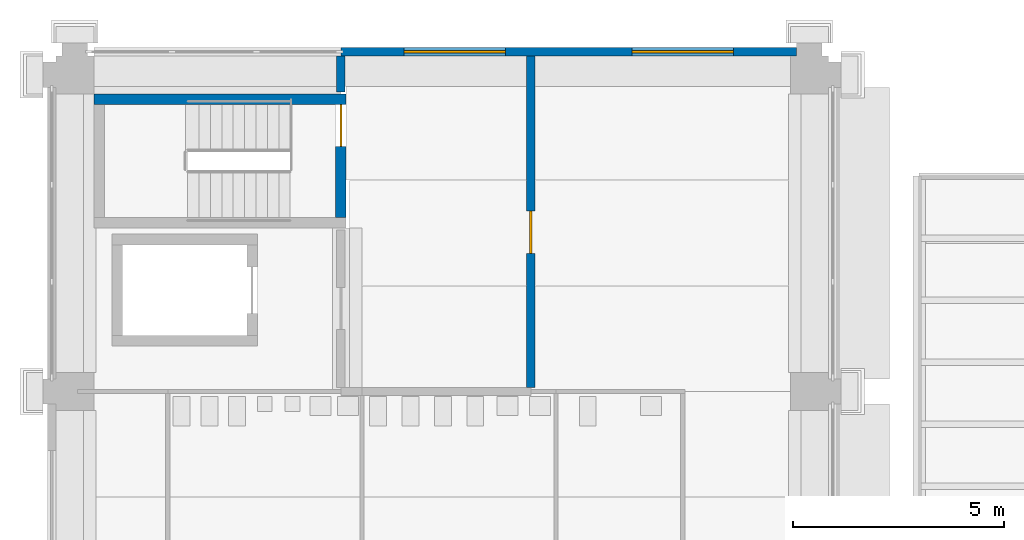
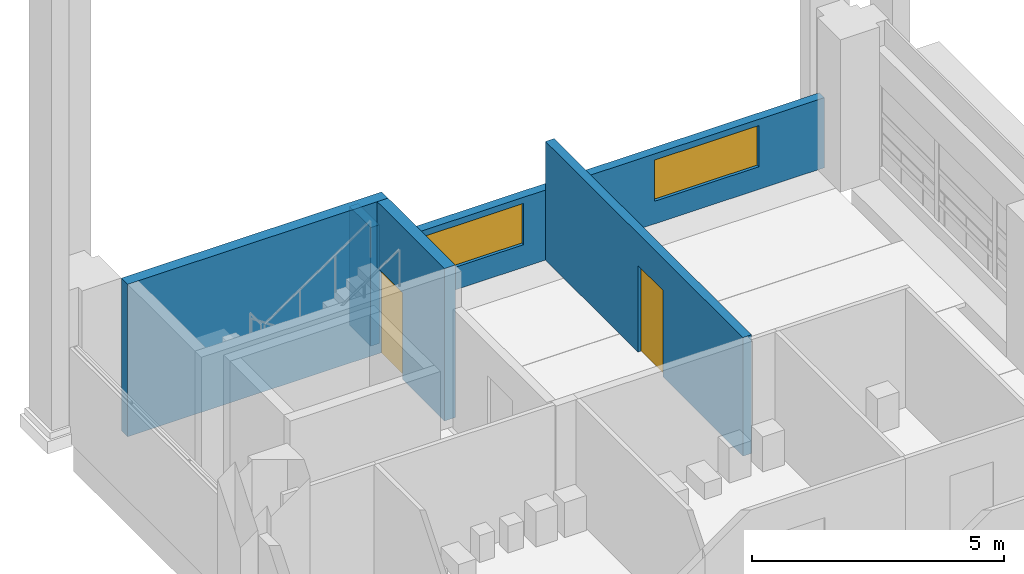
# One storey, part 38 of 67: 5 walls, 2 doors, 2 windows, 4 openings.
"""IFC4 building model written with IfcOpenShell, lengths in metres."""

from ifc_helpers import new_model, si_unit, direction, frame, frame_2d, origin, place, context, subcontext, project, spatial, rectangle, extrude, material, layer, layer_set, type_object, element, fill, save


model = new_model("IFC4")

# Units and contexts
model_context = context("Model", 3, precision=1e-05, world=origin(), true_north=direction((0.0, 1.0)))
body_context = subcontext(model_context, "Body", "Model", "MODEL_VIEW")
ifc_project = project(units=[si_unit("LENGTHUNIT", "METRE"), si_unit("AREAUNIT", "SQUARE_METRE"), si_unit("VOLUMEUNIT", "CUBIC_METRE"), si_unit("PLANEANGLEUNIT", "RADIAN"), si_unit("MASSUNIT", "GRAM", prefix="KILO")], contexts=[model_context])

# Site, building, storey
site_placement = place(None, origin())
site = spatial("IfcSite", under=ifc_project, at=site_placement, CompositionType="ELEMENT")
building_placement = place(site_placement, origin())
building = spatial("IfcBuilding", under=site, at=building_placement, Name="Cour d'Honneur Mobility Palace", CompositionType="ELEMENT")
storey_placement = place(building_placement, frame((0.0, 0.0, 4.5)))
storey = spatial("IfcBuildingStorey", under=building, at=storey_placement, Name="L01", CompositionType="ELEMENT", Elevation=4.5)

# Wall, opening, door
ifc_material_1 = material(Name="Gypsum plasterboard")
ifc_layer_1 = layer(ifc_material_1, 0.199951171875)
ifc_layer_set_1 = layer_set([ifc_layer_1], Name="Gypsum plasterboard")
wall_type_1 = type_object("IfcWallType", Name="Partition 200 rated EI 120", PredefinedType="PARTITIONING", material=ifc_layer_set_1)
wall_1_placement = place(storey_placement, frame((10.800048828125, 107.5, 0.0), z_axis=(0.0, 0.0, 1.0), x_axis=(0.0, 1.0, 0.0)))
wall_1 = element("IfcWall", 1, at=wall_1_placement, inside=storey, type_object=wall_type_1, Name="Partition 071", PredefinedType="PARTITIONING", context=body_context, shape_type="SweptSolid", body=[
    extrude(rectangle(XDim=7.85009765625, YDim=0.199951171875, at=frame_2d((3.925048828125, 0.0))), origin(), (0.0, 0.0, 1.0), 2.8798828125),
])
opening_1_placement = place(wall_1_placement, frame((3.169921875, 0.0, 0.0)))
opening_1 = element("IfcOpeningElement", 2, at=opening_1_placement, cuts=wall_1, Name="Opening D0102", PredefinedType="OPENING", context=body_context, shape_type="SweptSolid", body=[
    extrude(rectangle(XDim=1.0, YDim=2.10009765625, at=frame_2d((0.5, 1.050048828125))), frame((0.0, 0.10986328125, 0.0), z_axis=(0.0, -1.0, 0.0), x_axis=(1.0, 0.0, 0.0)), (0.0, 0.0, 1.0), 0.219970703125),
])
ifc_material_2 = material(Name="Galvanised steel", Category="steel")
door_type_1 = type_object("IfcDoorType", Name="Fire door FD120 1000 x 2100", OperationType="SINGLE_SWING_LEFT", PredefinedType="DOOR", material=ifc_material_2)
door_1_placement = place(opening_1_placement, origin())
door_1 = element("IfcDoor", 3, at=door_1_placement, inside=storey, type_object=door_type_1, Name="Door Lift Lobby NW", OperationType="SINGLE_SWING_LEFT", OverallHeight=2.10009765625, OverallWidth=1.0, PredefinedType="DOOR", context=body_context, shape_type="SweptSolid", body=[
    extrude(rectangle(XDim=1.0, YDim=2.10009765625, at=frame_2d((0.5, 1.050048828125))), frame((0.0, 0.02490234375, 0.0), z_axis=(0.0, -1.0, 0.0), x_axis=(1.0, 0.0, 0.0)), (0.0, 0.0, 1.0), 0.050048828125),
])
fill(opening_1, door_1)

# Wall
wall_2_placement = place(storey_placement, frame((6.300048828125, 115.35009765625, 0.0), z_axis=(0.0, 0.0, 1.0), x_axis=(0.0, -1.0, 0.0)))
element("IfcWall", 4, at=wall_2_placement, inside=storey, type_object=wall_type_1, Name="Partition 087", PredefinedType="PARTITIONING", context=body_context, shape_type="SweptSolid", body=[
    extrude(rectangle(XDim=0.85009765625, YDim=0.199951171875, at=frame_2d((0.425048828125, 0.0))), origin(), (0.0, 0.0, 1.0), 2.8798828125),
])

# Wall, openings, windows
ifc_material_3 = material(Name="Concrete C40", Category="concrete")
ifc_layer_2 = layer(ifc_material_3, 0.199951171875)
ifc_layer_set_2 = layer_set([ifc_layer_2], Name="Concrete C40")
wall_type_2 = type_object("IfcWallType", Name="Spandrel panel", PredefinedType="SOLIDWALL", material=ifc_layer_set_2)
wall_3_placement = place(storey_placement, frame((17.10009765625, 115.449951171875, 0.0), z_axis=(0.0, 0.0, 1.0), x_axis=(-1.0, 0.0, 0.0)))
wall_3 = element("IfcWall", 5, at=wall_3_placement, inside=storey, type_object=wall_type_2, Name="Spandrel panel SW-1", PredefinedType="SOLIDWALL", context=body_context, shape_type="SweptSolid", body=[
    extrude(rectangle(XDim=10.800048828125, YDim=0.199951171875, at=frame_2d((5.39990234375, 0.0))), origin(), (0.0, 0.0, 1.0), 1.699951171875),
])
opening_2_placement = place(wall_3_placement, frame((1.5, 0.0, 0.550048828125)))
opening_2 = element("IfcOpeningElement", 6, at=opening_2_placement, cuts=wall_3, Name="Opening W2-1", PredefinedType="OPENING", context=body_context, shape_type="SweptSolid", body=[
    extrude(rectangle(XDim=2.39990234375, YDim=1.0, at=frame_2d((1.199951171875, 0.5))), frame((0.0, 0.10986328125, 0.0), z_axis=(0.0, -1.0, 0.0), x_axis=(1.0, 0.0, 0.0)), (0.0, 0.0, 1.0), 0.219970703125),
])
opening_3_placement = place(wall_3_placement, frame((6.89990234375, 0.0, 0.550048828125)))
opening_3 = element("IfcOpeningElement", 7, at=opening_3_placement, cuts=wall_3, Name="Opening W2-2", PredefinedType="OPENING", context=body_context, shape_type="SweptSolid", body=[
    extrude(rectangle(XDim=2.39990234375, YDim=1.0, at=frame_2d((1.199951171875, 0.5))), frame((0.0, 0.10986328125, 0.0), z_axis=(0.0, -1.0, 0.0), x_axis=(1.0, 0.0, 0.0)), (0.0, 0.0, 1.0), 0.219970703125),
])
ifc_material_4 = material(Name="Aluminium frame and glass", Category="aluminium")
window_type = type_object("IfcWindowType", Name="Gallery window W2", PartitioningType="TRIPLE_PANEL_VERTICAL", PredefinedType="WINDOW", material=ifc_material_4)
window_1_placement = place(opening_2_placement, origin())
window_1 = element("IfcWindow", 8, at=window_1_placement, inside=storey, type_object=window_type, Name="Gallery window W2 W2-1", OverallHeight=1.0, OverallWidth=2.39990234375, PartitioningType="SINGLE_PANEL", PredefinedType="WINDOW", context=body_context, shape_type="SweptSolid", body=[
    extrude(rectangle(XDim=2.39990234375, YDim=1.0, at=frame_2d((1.199951171875, 0.5))), frame((0.0, 0.030029296875, 0.0), z_axis=(0.0, -1.0, 0.0), x_axis=(1.0, 0.0, 0.0)), (0.0, 0.0, 1.0), 0.06005859375),
])
fill(opening_2, window_1)
window_2_placement = place(opening_3_placement, origin())
window_2 = element("IfcWindow", 9, at=window_2_placement, inside=storey, type_object=window_type, Name="Gallery window W2 W2-2", OverallHeight=1.0, OverallWidth=2.39990234375, PartitioningType="SINGLE_PANEL", PredefinedType="WINDOW", context=body_context, shape_type="SweptSolid", body=[
    extrude(rectangle(XDim=2.39990234375, YDim=1.0, at=frame_2d((1.199951171875, 0.5))), frame((0.0, 0.030029296875, 0.0), z_axis=(0.0, -1.0, 0.0), x_axis=(1.0, 0.0, 0.0)), (0.0, 0.0, 1.0), 0.06005859375),
])
fill(opening_3, window_2)

# Wall
ifc_material_5 = material(Name="Concrete C50", Category="concrete")
ifc_layer_3 = layer(ifc_material_5, 0.25)
ifc_layer_set_3 = layer_set([ifc_layer_3], Name="Concrete C50")
wall_type_3 = type_object("IfcWallType", Name="Stair wall 250", PredefinedType="SHEAR", material=ifc_layer_set_3)
wall_4_placement = place(storey_placement, frame((0.449951171875, 114.324951171875, 0.0), z_axis=(0.0, 0.0, 1.0), x_axis=(1.0, 0.0, 0.0)))
element("IfcWall", 10, at=wall_4_placement, inside=storey, type_object=wall_type_3, Name="Stair wall WS-NW4 L01", PredefinedType="SHEAR", context=body_context, shape_type="SweptSolid", body=[
    extrude(rectangle(XDim=5.97509765625, YDim=0.25, at=frame_2d((2.987548828125, 0.0))), origin(), (0.0, 0.0, 1.0), 3.699951171875),
])

# Wall, opening, door
wall_5_placement = place(storey_placement, frame((6.300048828125, 111.52490234375, 0.0), z_axis=(0.0, 0.0, 1.0), x_axis=(0.0, 1.0, 0.0)))
wall_5 = element("IfcWall", 11, at=wall_5_placement, inside=storey, type_object=wall_type_3, Name="Stair wall WS-NW8 L01", PredefinedType="SHEAR", context=body_context, shape_type="SweptSolid", body=[
    extrude(rectangle(XDim=2.675048828125, YDim=0.25, at=frame_2d((1.33740234375, 0.0))), origin(), (0.0, 0.0, 1.0), 3.699951171875),
])
opening_4_placement = place(wall_5_placement, frame((1.675048828125, 0.0, 0.0)))
opening_4 = element("IfcOpeningElement", 12, at=opening_4_placement, cuts=wall_5, Name="Opening S98", PredefinedType="OPENING", context=body_context, shape_type="SweptSolid", body=[
    extrude(rectangle(XDim=1.0, YDim=2.10009765625, at=frame_2d((0.5, 1.050048828125))), frame((0.0, 0.135009765625, 0.0), z_axis=(0.0, -1.0, 0.0), x_axis=(1.0, 0.0, 0.0)), (0.0, 0.0, 1.0), 0.27001953125),
])
ifc_material_6 = material(Name="Galvanised steel", Category="steel")
door_type_2 = type_object("IfcDoorType", Name="Fire door FD120 stair 1000 x 2100", OperationType="SINGLE_SWING_LEFT", PredefinedType="DOOR", material=ifc_material_6)
door_2_placement = place(opening_4_placement, origin())
door_2 = element("IfcDoor", 13, at=door_2_placement, inside=storey, type_object=door_type_2, Name="Stair door ST-NW1 L01", OperationType="SINGLE_SWING_LEFT", OverallHeight=2.10009765625, OverallWidth=1.0, PredefinedType="DOOR", context=body_context, shape_type="SweptSolid", body=[
    extrude(rectangle(XDim=1.0, YDim=2.10009765625, at=frame_2d((0.5, 1.050048828125))), frame((0.0, 0.02490234375, 0.0), z_axis=(0.0, -1.0, 0.0), x_axis=(1.0, 0.0, 0.0)), (0.0, 0.0, 1.0), 0.050048828125),
])
fill(opening_4, door_2)

save(model, "model.ifc")
